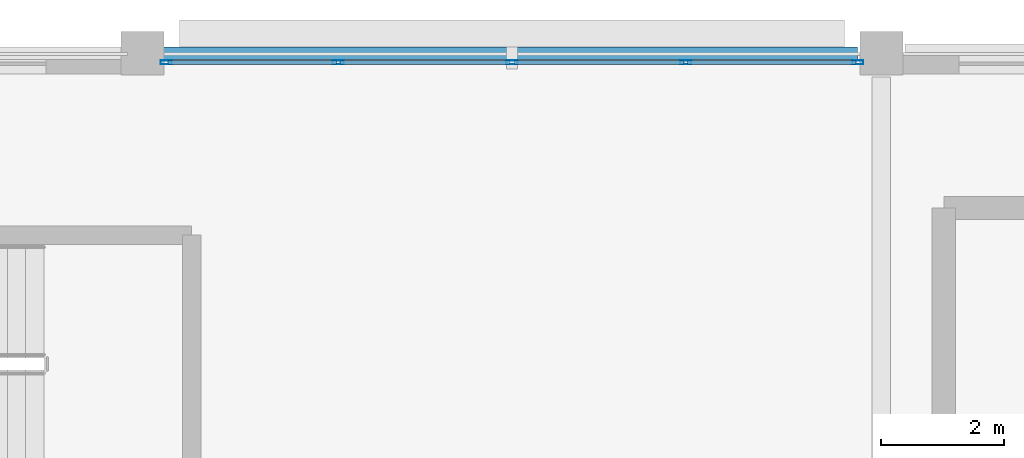
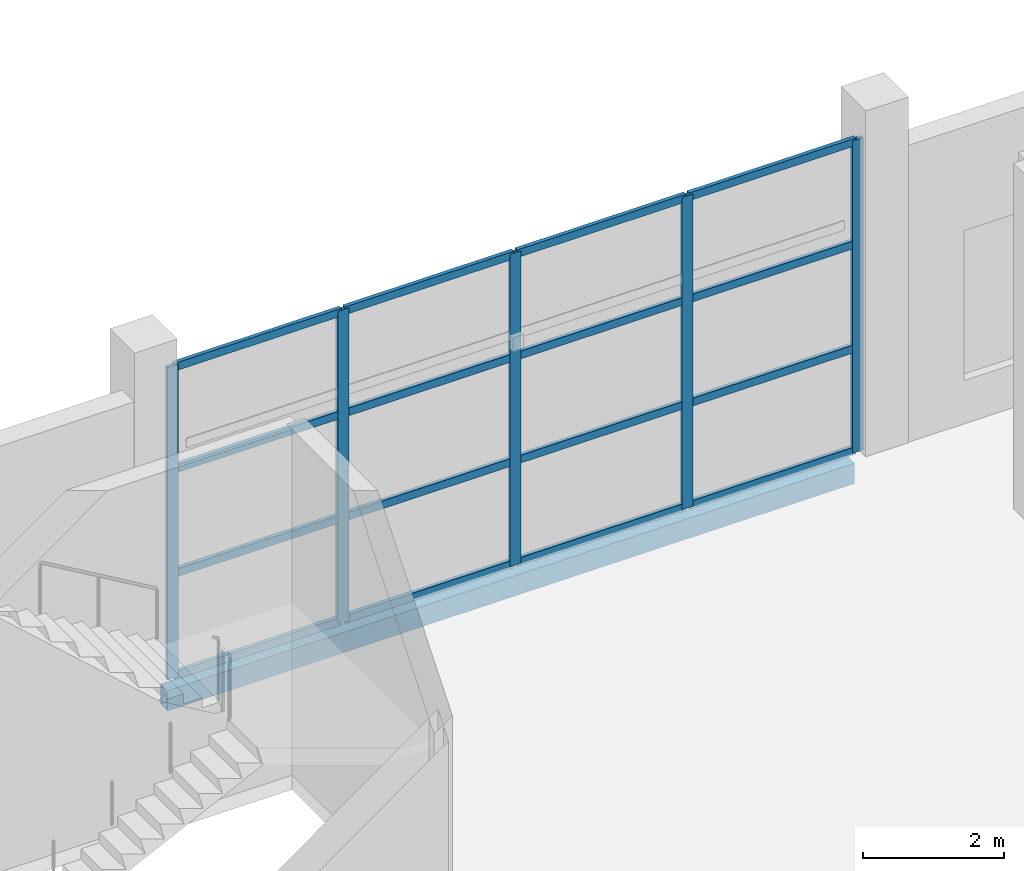
# One storey, part 140 of 191: 21 members, 1 beam, 1 element without a shape of its own.
"""IFC4 building model written with IfcOpenShell, lengths in metres."""

from ifc_helpers import new_model, si_unit, direction, frame, origin, origin_2d, place, context, subcontext, project, spatial, hollow_rectangle, extrude, material, layer, layer_set, material_profile, profile_set, type_object, element, aggregate, save


model = new_model("IFC4")

# Units and contexts
model_context = context("Model", 3, precision=1e-05, world=origin(), true_north=direction((0.0, 1.0)))
body_context = subcontext(model_context, "Body", "Model", "MODEL_VIEW")
ifc_project = project(units=[si_unit("LENGTHUNIT", "METRE"), si_unit("AREAUNIT", "SQUARE_METRE"), si_unit("VOLUMEUNIT", "CUBIC_METRE"), si_unit("PLANEANGLEUNIT", "RADIAN"), si_unit("MASSUNIT", "GRAM", prefix="KILO")], contexts=[model_context])

# Site, building, storey
site_placement = place(None, origin())
site = spatial("IfcSite", under=ifc_project, at=site_placement, CompositionType="ELEMENT")
building_placement = place(site_placement, origin())
building = spatial("IfcBuilding", under=site, at=building_placement, Name="Tamarisk Ironworks Central Station", CompositionType="ELEMENT")
storey_placement = place(building_placement, frame((0.0, 0.0, 6.60009765625)))
storey = spatial("IfcBuildingStorey", under=building, at=storey_placement, Name="L01", CompositionType="ELEMENT", Elevation=6.60009765625)

# Beam
ifc_material_1 = material(Name="Structural steel S355J2", Category="steel")
ifc_material_profile_1 = material_profile(ifc_material_1, hollow_rectangle(XDim=0.199951171875, YDim=0.35009765625, WallThickness=0.012451171875, at=origin_2d()), Name="RHS 350x200x12.5")
ifc_profile_set_1 = profile_set([ifc_material_profile_1], Name="Structural steel S355J2")
beam_type = type_object("IfcBeamType", Name="BM-SP01", PredefinedType="SPANDREL", material=ifc_profile_set_1)
beam_placement = place(storey_placement, frame((128.337890625, 122.39990234375, -0.425048828125), z_axis=(1.0, 0.0, 0.0), x_axis=(0.0, 1.0, 0.0)))
element("IfcBeam", 1, at=beam_placement, inside=storey, type_object=beam_type, Name="L01 primary girder X-0149", PredefinedType="SPANDREL", context=body_context, shape_type="SweptSolid", body=[
    extrude(hollow_rectangle(XDim=0.199951171875, YDim=0.35009765625, WallThickness=0.012451171875, at=origin_2d()), origin(), (0.0, 0.0, 1.0), 11.274169921875),
])

# Curtain wall, members
ifc_material_2 = material(Name="Anodized aluminium alloy 6063-T6", Category="aluminium")
ifc_layer = layer(ifc_material_2, 0.179931640625)
ifc_layer_set = layer_set([ifc_layer], Name="Anodized aluminium alloy 6063-T6")
curtain_wall_type = type_object("IfcCurtainWallType", Name="CW-16", PredefinedType="USERDEFINED", material=ifc_layer_set)
curtain_wall_placement = place(storey_placement, origin())
curtain_wall = element("IfcCurtainWall", 2, at=curtain_wall_placement, inside=storey, type_object=curtain_wall_type, Name="Operations L01 north facade curtain wall 128", ObjectType="GLAZED CURTAIN WALL", PredefinedType="USERDEFINED")
ifc_material_profile_2 = material_profile(ifc_material_2, hollow_rectangle(XDim=0.06494140625, YDim=0.179931640625, WallThickness=0.00390625, at=origin_2d()), Name="ALUM 180x65")
ifc_profile_set_2 = profile_set([ifc_material_profile_2], Name="Anodized aluminium alloy 6063-T6")
member_type_1 = type_object("IfcMemberType", Name="CWM-02", PredefinedType="MULLION", material=ifc_profile_set_2)
member_1_placement = place(storey_placement, frame((128.380615234375, 122.25, 0.0), z_axis=(0.0, 0.0, 1.0), x_axis=(0.0, 1.0, 0.0)))
member_1 = element("IfcMember", 3, at=member_1_placement, type_object=member_type_1, Name="CW16 mullion 1", PredefinedType="MULLION", context=body_context, shape_type="SweptSolid", body=[
    extrude(hollow_rectangle(XDim=0.06494140625, YDim=0.179931640625, WallThickness=0.00390625, at=origin_2d()), origin(), (0.0, 0.0, 1.0), 5.419921875),
])
member_2_placement = place(storey_placement, frame((131.174072265625, 122.25, 0.0), z_axis=(0.0, 0.0, 1.0), x_axis=(0.0, 1.0, 0.0)))
member_2 = element("IfcMember", 4, at=member_2_placement, type_object=member_type_1, Name="CW16 mullion 2", PredefinedType="MULLION", context=body_context, shape_type="SweptSolid", body=[
    extrude(hollow_rectangle(XDim=0.06494140625, YDim=0.179931640625, WallThickness=0.00390625, at=origin_2d()), origin(), (0.0, 0.0, 1.0), 5.419921875),
])
member_3_placement = place(storey_placement, frame((134.0, 122.25, 0.0), z_axis=(0.0, 0.0, 1.0), x_axis=(0.0, 1.0, 0.0)))
member_3 = element("IfcMember", 5, at=member_3_placement, type_object=member_type_1, Name="CW16 mullion 3", PredefinedType="MULLION", context=body_context, shape_type="SweptSolid", body=[
    extrude(hollow_rectangle(XDim=0.06494140625, YDim=0.179931640625, WallThickness=0.00390625, at=origin_2d()), origin(), (0.0, 0.0, 1.0), 5.419921875),
])
member_4_placement = place(storey_placement, frame((136.825927734375, 122.25, 0.0), z_axis=(0.0, 0.0, 1.0), x_axis=(0.0, 1.0, 0.0)))
member_4 = element("IfcMember", 6, at=member_4_placement, type_object=member_type_1, Name="CW16 mullion 4", PredefinedType="MULLION", context=body_context, shape_type="SweptSolid", body=[
    extrude(hollow_rectangle(XDim=0.06494140625, YDim=0.179931640625, WallThickness=0.00390625, at=origin_2d()), origin(), (0.0, 0.0, 1.0), 5.419921875),
])
member_5_placement = place(storey_placement, frame((139.619384765625, 122.25, 0.0), z_axis=(0.0, 0.0, 1.0), x_axis=(0.0, 1.0, 0.0)))
member_5 = element("IfcMember", 7, at=member_5_placement, type_object=member_type_1, Name="CW16 mullion 5", PredefinedType="MULLION", context=body_context, shape_type="SweptSolid", body=[
    extrude(hollow_rectangle(XDim=0.06494140625, YDim=0.179931640625, WallThickness=0.00390625, at=origin_2d()), origin(), (0.0, 0.0, 1.0), 5.419921875),
])
ifc_material_profile_3 = material_profile(ifc_material_2, hollow_rectangle(XDim=0.06494140625, YDim=0.135009765625, WallThickness=0.00341796875, at=origin_2d()), Name="ALUM 135x65")
ifc_profile_set_3 = profile_set([ifc_material_profile_3], Name="Anodized aluminium alloy 6063-T6")
member_type_2 = type_object("IfcMemberType", Name="CWT-02", PredefinedType="USERDEFINED", material=ifc_profile_set_3)
member_6_placement = place(storey_placement, frame((128.408935546875, 122.25, 0.032470703125), z_axis=(1.0, 0.0, 0.0), x_axis=(0.0, 1.0, 0.0)))
member_6 = element("IfcMember", 8, at=member_6_placement, type_object=member_type_2, Name="CW16 transom 1.1", ObjectType="TRANSOM", PredefinedType="USERDEFINED", context=body_context, shape_type="SweptSolid", body=[
    extrude(hollow_rectangle(XDim=0.06494140625, YDim=0.135009765625, WallThickness=0.00341796875, at=origin_2d()), origin(), (0.0, 0.0, 1.0), 2.736572265625),
])
member_7_placement = place(storey_placement, frame((128.408935546875, 122.25, 1.806640625), z_axis=(1.0, 0.0, 0.0), x_axis=(0.0, 1.0, 0.0)))
member_7 = element("IfcMember", 9, at=member_7_placement, type_object=member_type_2, Name="CW16 transom 1.2", ObjectType="TRANSOM", PredefinedType="USERDEFINED", context=body_context, shape_type="SweptSolid", body=[
    extrude(hollow_rectangle(XDim=0.06494140625, YDim=0.135009765625, WallThickness=0.00341796875, at=origin_2d()), origin(), (0.0, 0.0, 1.0), 2.736572265625),
])
member_8_placement = place(storey_placement, frame((128.408935546875, 122.25, 3.61328125), z_axis=(1.0, 0.0, 0.0), x_axis=(0.0, 1.0, 0.0)))
member_8 = element("IfcMember", 10, at=member_8_placement, type_object=member_type_2, Name="CW16 transom 1.3", ObjectType="TRANSOM", PredefinedType="USERDEFINED", context=body_context, shape_type="SweptSolid", body=[
    extrude(hollow_rectangle(XDim=0.06494140625, YDim=0.135009765625, WallThickness=0.00341796875, at=origin_2d()), origin(), (0.0, 0.0, 1.0), 2.736572265625),
])
member_9_placement = place(storey_placement, frame((128.408935546875, 122.25, 5.387451171875), z_axis=(1.0, 0.0, 0.0), x_axis=(0.0, 1.0, 0.0)))
member_9 = element("IfcMember", 11, at=member_9_placement, type_object=member_type_2, Name="CW16 transom 1.4", ObjectType="TRANSOM", PredefinedType="USERDEFINED", context=body_context, shape_type="SweptSolid", body=[
    extrude(hollow_rectangle(XDim=0.06494140625, YDim=0.135009765625, WallThickness=0.00341796875, at=origin_2d()), origin(), (0.0, 0.0, 1.0), 2.736572265625),
])
member_10_placement = place(storey_placement, frame((131.202392578125, 122.25, 0.032470703125), z_axis=(1.0, 0.0, 0.0), x_axis=(0.0, 1.0, 0.0)))
member_10 = element("IfcMember", 12, at=member_10_placement, type_object=member_type_2, Name="CW16 transom 2.1", ObjectType="TRANSOM", PredefinedType="USERDEFINED", context=body_context, shape_type="SweptSolid", body=[
    extrude(hollow_rectangle(XDim=0.06494140625, YDim=0.135009765625, WallThickness=0.00341796875, at=origin_2d()), origin(), (0.0, 0.0, 1.0), 2.76904296875),
])
member_11_placement = place(storey_placement, frame((131.202392578125, 122.25, 1.806640625), z_axis=(1.0, 0.0, 0.0), x_axis=(0.0, 1.0, 0.0)))
member_11 = element("IfcMember", 13, at=member_11_placement, type_object=member_type_2, Name="CW16 transom 2.2", ObjectType="TRANSOM", PredefinedType="USERDEFINED", context=body_context, shape_type="SweptSolid", body=[
    extrude(hollow_rectangle(XDim=0.06494140625, YDim=0.135009765625, WallThickness=0.00341796875, at=origin_2d()), origin(), (0.0, 0.0, 1.0), 2.76904296875),
])
member_12_placement = place(storey_placement, frame((131.202392578125, 122.25, 3.61328125), z_axis=(1.0, 0.0, 0.0), x_axis=(0.0, 1.0, 0.0)))
member_12 = element("IfcMember", 14, at=member_12_placement, type_object=member_type_2, Name="CW16 transom 2.3", ObjectType="TRANSOM", PredefinedType="USERDEFINED", context=body_context, shape_type="SweptSolid", body=[
    extrude(hollow_rectangle(XDim=0.06494140625, YDim=0.135009765625, WallThickness=0.00341796875, at=origin_2d()), origin(), (0.0, 0.0, 1.0), 2.76904296875),
])
member_13_placement = place(storey_placement, frame((131.202392578125, 122.25, 5.387451171875), z_axis=(1.0, 0.0, 0.0), x_axis=(0.0, 1.0, 0.0)))
member_13 = element("IfcMember", 15, at=member_13_placement, type_object=member_type_2, Name="CW16 transom 2.4", ObjectType="TRANSOM", PredefinedType="USERDEFINED", context=body_context, shape_type="SweptSolid", body=[
    extrude(hollow_rectangle(XDim=0.06494140625, YDim=0.135009765625, WallThickness=0.00341796875, at=origin_2d()), origin(), (0.0, 0.0, 1.0), 2.76904296875),
])
member_14_placement = place(storey_placement, frame((134.028564453125, 122.25, 0.032470703125), z_axis=(1.0, 0.0, 0.0), x_axis=(0.0, 1.0, 0.0)))
member_14 = element("IfcMember", 16, at=member_14_placement, type_object=member_type_2, Name="CW16 transom 3.1", ObjectType="TRANSOM", PredefinedType="USERDEFINED", context=body_context, shape_type="SweptSolid", body=[
    extrude(hollow_rectangle(XDim=0.06494140625, YDim=0.135009765625, WallThickness=0.00341796875, at=origin_2d()), origin(), (0.0, 0.0, 1.0), 2.76904296875),
])
member_15_placement = place(storey_placement, frame((134.028564453125, 122.25, 1.806640625), z_axis=(1.0, 0.0, 0.0), x_axis=(0.0, 1.0, 0.0)))
member_15 = element("IfcMember", 17, at=member_15_placement, type_object=member_type_2, Name="CW16 transom 3.2", ObjectType="TRANSOM", PredefinedType="USERDEFINED", context=body_context, shape_type="SweptSolid", body=[
    extrude(hollow_rectangle(XDim=0.06494140625, YDim=0.135009765625, WallThickness=0.00341796875, at=origin_2d()), origin(), (0.0, 0.0, 1.0), 2.76904296875),
])
member_16_placement = place(storey_placement, frame((134.028564453125, 122.25, 3.61328125), z_axis=(1.0, 0.0, 0.0), x_axis=(0.0, 1.0, 0.0)))
member_16 = element("IfcMember", 18, at=member_16_placement, type_object=member_type_2, Name="CW16 transom 3.3", ObjectType="TRANSOM", PredefinedType="USERDEFINED", context=body_context, shape_type="SweptSolid", body=[
    extrude(hollow_rectangle(XDim=0.06494140625, YDim=0.135009765625, WallThickness=0.00341796875, at=origin_2d()), origin(), (0.0, 0.0, 1.0), 2.76904296875),
])
member_17_placement = place(storey_placement, frame((134.028564453125, 122.25, 5.387451171875), z_axis=(1.0, 0.0, 0.0), x_axis=(0.0, 1.0, 0.0)))
member_17 = element("IfcMember", 19, at=member_17_placement, type_object=member_type_2, Name="CW16 transom 3.4", ObjectType="TRANSOM", PredefinedType="USERDEFINED", context=body_context, shape_type="SweptSolid", body=[
    extrude(hollow_rectangle(XDim=0.06494140625, YDim=0.135009765625, WallThickness=0.00341796875, at=origin_2d()), origin(), (0.0, 0.0, 1.0), 2.76904296875),
])
member_18_placement = place(storey_placement, frame((136.8544921875, 122.25, 0.032470703125), z_axis=(1.0, 0.0, 0.0), x_axis=(0.0, 1.0, 0.0)))
member_18 = element("IfcMember", 20, at=member_18_placement, type_object=member_type_2, Name="CW16 transom 4.1", ObjectType="TRANSOM", PredefinedType="USERDEFINED", context=body_context, shape_type="SweptSolid", body=[
    extrude(hollow_rectangle(XDim=0.06494140625, YDim=0.135009765625, WallThickness=0.00341796875, at=origin_2d()), origin(), (0.0, 0.0, 1.0), 2.736572265625),
])
member_19_placement = place(storey_placement, frame((136.8544921875, 122.25, 1.806640625), z_axis=(1.0, 0.0, 0.0), x_axis=(0.0, 1.0, 0.0)))
member_19 = element("IfcMember", 21, at=member_19_placement, type_object=member_type_2, Name="CW16 transom 4.2", ObjectType="TRANSOM", PredefinedType="USERDEFINED", context=body_context, shape_type="SweptSolid", body=[
    extrude(hollow_rectangle(XDim=0.06494140625, YDim=0.135009765625, WallThickness=0.00341796875, at=origin_2d()), origin(), (0.0, 0.0, 1.0), 2.736572265625),
])
member_20_placement = place(storey_placement, frame((136.8544921875, 122.25, 3.61328125), z_axis=(1.0, 0.0, 0.0), x_axis=(0.0, 1.0, 0.0)))
member_20 = element("IfcMember", 22, at=member_20_placement, type_object=member_type_2, Name="CW16 transom 4.3", ObjectType="TRANSOM", PredefinedType="USERDEFINED", context=body_context, shape_type="SweptSolid", body=[
    extrude(hollow_rectangle(XDim=0.06494140625, YDim=0.135009765625, WallThickness=0.00341796875, at=origin_2d()), origin(), (0.0, 0.0, 1.0), 2.736572265625),
])
member_21_placement = place(storey_placement, frame((136.8544921875, 122.25, 5.387451171875), z_axis=(1.0, 0.0, 0.0), x_axis=(0.0, 1.0, 0.0)))
member_21 = element("IfcMember", 23, at=member_21_placement, type_object=member_type_2, Name="CW16 transom 4.4", ObjectType="TRANSOM", PredefinedType="USERDEFINED", context=body_context, shape_type="SweptSolid", body=[
    extrude(hollow_rectangle(XDim=0.06494140625, YDim=0.135009765625, WallThickness=0.00341796875, at=origin_2d()), origin(), (0.0, 0.0, 1.0), 2.736572265625),
])
aggregate(curtain_wall, [member_1, member_2, member_3, member_4, member_5, member_6, member_7, member_8, member_9, member_10, member_11, member_12, member_13, member_14, member_15, member_16, member_17, member_18, member_19, member_20, member_21])

save(model, "model.ifc")
